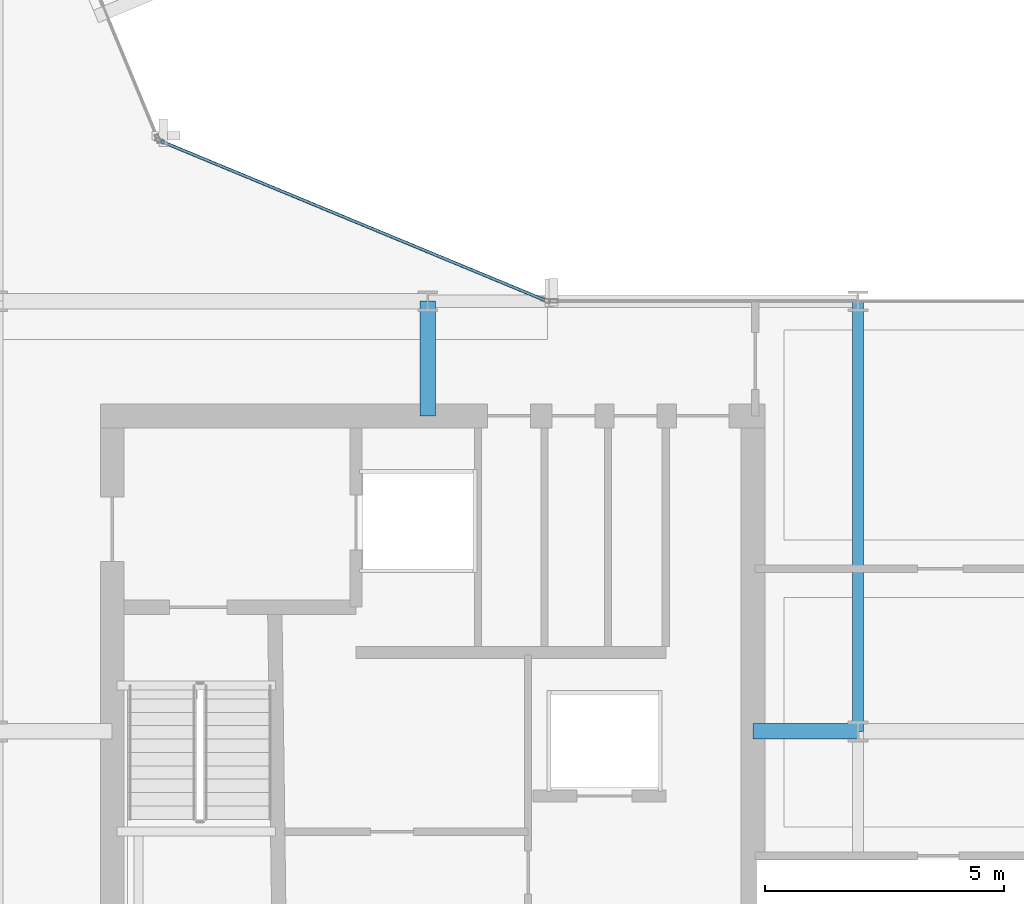
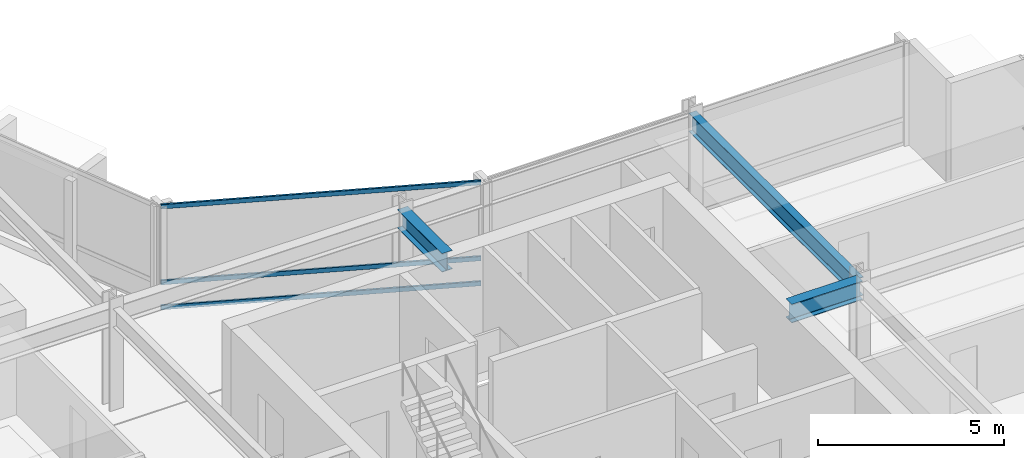
# One storey, part 12 of 29: 3 beams, 3 members, 1 element without a shape of its own.
"""IFC4 building model written with IfcOpenShell, lengths in metres."""

from ifc_helpers import new_model, si_unit, direction, frame, origin, origin_2d, place, context, subcontext, project, spatial, hollow_rectangle, i_section, extrude, material, layer, layer_set, material_profile, profile_set, type_object, element, aggregate, save


model = new_model("IFC4")

# Units and contexts
model_context = context("Model", 3, precision=1e-05, world=origin(), true_north=direction((0.0, 1.0)))
body_context = subcontext(model_context, "Body", "Model", "MODEL_VIEW")
ifc_project = project(units=[si_unit("LENGTHUNIT", "METRE"), si_unit("AREAUNIT", "SQUARE_METRE"), si_unit("VOLUMEUNIT", "CUBIC_METRE"), si_unit("PLANEANGLEUNIT", "RADIAN"), si_unit("MASSUNIT", "GRAM", prefix="KILO")], contexts=[model_context])

# Site, building, storey
site_placement = place(None, origin())
site = spatial("IfcSite", under=ifc_project, at=site_placement, CompositionType="ELEMENT")
building_placement = place(site_placement, origin())
building = spatial("IfcBuilding", under=site, at=building_placement, Name="Solvaryn Broadcast Tower", CompositionType="ELEMENT")
storey_placement = place(building_placement, frame((0.0, 0.0, 165.5)))
storey = spatial("IfcBuildingStorey", under=building, at=storey_placement, Name="L41", CompositionType="ELEMENT", Elevation=165.5)

# Beams
ifc_material_1 = material(Name="Steel ASTM A992 Grade 50", Category="steel")
ifc_material_profile_1 = material_profile(ifc_material_1, i_section(OverallWidth=0.323974609375, OverallDepth=0.611083984375, WebThickness=0.0126953125, FlangeThickness=0.01904296875, FilletRadius=0.014892578125, at=origin_2d()))
ifc_profile_set_1 = profile_set([ifc_material_profile_1], Name="Steel ASTM A992 Grade 50")
beam_type_1 = type_object("IfcBeamType", Name="BM-B1-W24X104", PredefinedType="BEAM", material=ifc_profile_set_1)
beam_1_placement = place(storey_placement, frame((36.0, 24.60009765625, 3.064453125), z_axis=(0.0, 1.0, 0.0), x_axis=(-1.0, 0.0, 0.0)))
element("IfcBeam", 1, at=beam_1_placement, inside=storey, type_object=beam_type_1, Name="L41 Core Tie Beam CTE2", PredefinedType="BEAM", context=body_context, shape_type="SweptSolid", body=[
    extrude(i_section(OverallWidth=0.323974609375, OverallDepth=0.611083984375, WebThickness=0.0126953125, FlangeThickness=0.01904296875, FilletRadius=0.014892578125, at=origin_2d()), origin(), (0.0, 0.0, 1.0), 2.39990234375),
])
beam_2_placement = place(storey_placement, frame((42.800048828125, 18.0, 3.064453125), z_axis=(1.0, 0.0, 0.0), x_axis=(0.0, 1.0, 0.0)))
element("IfcBeam", 2, at=beam_2_placement, inside=storey, type_object=beam_type_1, Name="L41 Core Tie Beam CTE3", PredefinedType="BEAM", context=body_context, shape_type="SweptSolid", body=[
    extrude(i_section(OverallWidth=0.323974609375, OverallDepth=0.611083984375, WebThickness=0.0126953125, FlangeThickness=0.01904296875, FilletRadius=0.014892578125, at=origin_2d()), origin(), (0.0, 0.0, 1.0), 2.199951171875),
])
ifc_material_2 = material(Name="Steel ASTM A992 Grade 50", Category="steel")
ifc_material_profile_2 = material_profile(ifc_material_2, i_section(OverallWidth=0.22802734375, OverallDepth=0.60791015625, WebThickness=0.01123046875, FlangeThickness=0.017333984375, FilletRadius=0.014892578125, at=origin_2d()))
ifc_profile_set_2 = profile_set([ifc_material_profile_2], Name="Steel ASTM A992 Grade 50")
beam_type_2 = type_object("IfcBeamType", Name="BM-B2-W24X76", PredefinedType="BEAM", material=ifc_profile_set_2)
beam_3_placement = place(storey_placement, frame((45.0, 18.0, 3.06591796875), z_axis=(0.0, 1.0, 0.0), x_axis=(-1.0, 0.0, 0.0)))
element("IfcBeam", 3, at=beam_3_placement, inside=storey, type_object=beam_type_2, Name="L41 Primary Beam Y (18-27 @ X=45)", PredefinedType="BEAM", context=body_context, shape_type="SweptSolid", body=[
    extrude(i_section(OverallWidth=0.22802734375, OverallDepth=0.60791015625, WebThickness=0.01123046875, FlangeThickness=0.017333984375, FilletRadius=0.014892578125, at=origin_2d()), origin(), (0.0, 0.0, 1.0), 9.0),
])

# Curtain wall, members
ifc_material_3 = material(Name="Aluminium and Terracotta Unitised Curtain Wall", Category="masonry")
ifc_layer = layer(ifc_material_3, 0.199951171875)
ifc_layer_set = layer_set([ifc_layer], Name="CW-SYS2-LOWMID")
curtain_wall_type = type_object("IfcCurtainWallType", Name="CW-SYS2-LOWMID", PredefinedType="NOTDEFINED", material=ifc_layer_set)
curtain_wall_placement = place(storey_placement, origin())
curtain_wall = element("IfcCurtainWall", 4, at=curtain_wall_placement, inside=storey, type_object=curtain_wall_type, Name="L41 Curtain Wall CN1", PredefinedType="NOTDEFINED")
ifc_material_4 = material(Name="Anodised Aluminium 6063-T6", Category="aluminium")
ifc_material_profile_3 = material_profile(ifc_material_4, hollow_rectangle(XDim=0.06494140625, YDim=0.14990234375, WallThickness=0.00390625, InnerFilletRadius=0.00390625, OuterFilletRadius=0.008056640625, at=origin_2d()))
ifc_profile_set_3 = profile_set([ifc_material_profile_3], Name="Anodised Aluminium 6063-T6")
member_type = type_object("IfcMemberType", Name="CW-TRN-150", PredefinedType="USERDEFINED", material=ifc_profile_set_3)
member_1_placement = place(storey_placement, frame((38.444580078125, 27.02294921875, 0.030029296875), z_axis=(-0.923899282177, 0.382635748975, 0.0), x_axis=(-0.382635748975, -0.923899282177, 0.0)))
member_1 = element("IfcMember", 5, at=member_1_placement, type_object=member_type, Name="CWS2 transom 1.1", ObjectType="TRANSOM", PredefinedType="USERDEFINED", context=body_context, shape_type="SweptSolid", body=[
    extrude(hollow_rectangle(XDim=0.06494140625, YDim=0.14990234375, WallThickness=0.00390625, InnerFilletRadius=0.00390625, OuterFilletRadius=0.008056640625, at=origin_2d()), origin(), (0.0, 0.0, 1.0), 8.681884765625),
])
member_2_placement = place(storey_placement, frame((38.444580078125, 27.02294921875, 0.85009765625), z_axis=(-0.923899282177, 0.382635748975, 0.0), x_axis=(-0.382635748975, -0.923899282177, 0.0)))
member_2 = element("IfcMember", 6, at=member_2_placement, type_object=member_type, Name="CWS2 transom 1.2", ObjectType="TRANSOM", PredefinedType="USERDEFINED", context=body_context, shape_type="SweptSolid", body=[
    extrude(hollow_rectangle(XDim=0.06494140625, YDim=0.14990234375, WallThickness=0.00390625, InnerFilletRadius=0.00390625, OuterFilletRadius=0.008056640625, at=origin_2d()), origin(), (0.0, 0.0, 1.0), 8.681884765625),
])
member_3_placement = place(storey_placement, frame((38.444580078125, 27.02294921875, 3.340087890625), z_axis=(-0.923899282177, 0.382635748975, 0.0), x_axis=(-0.382635748975, -0.923899282177, 0.0)))
member_3 = element("IfcMember", 7, at=member_3_placement, type_object=member_type, Name="CWS2 transom 1.3", ObjectType="TRANSOM", PredefinedType="USERDEFINED", context=body_context, shape_type="SweptSolid", body=[
    extrude(hollow_rectangle(XDim=0.06494140625, YDim=0.14990234375, WallThickness=0.00390625, InnerFilletRadius=0.00390625, OuterFilletRadius=0.008056640625, at=origin_2d()), origin(), (0.0, 0.0, 1.0), 8.681884765625),
])
aggregate(curtain_wall, [member_1, member_2, member_3])

save(model, "model.ifc")
